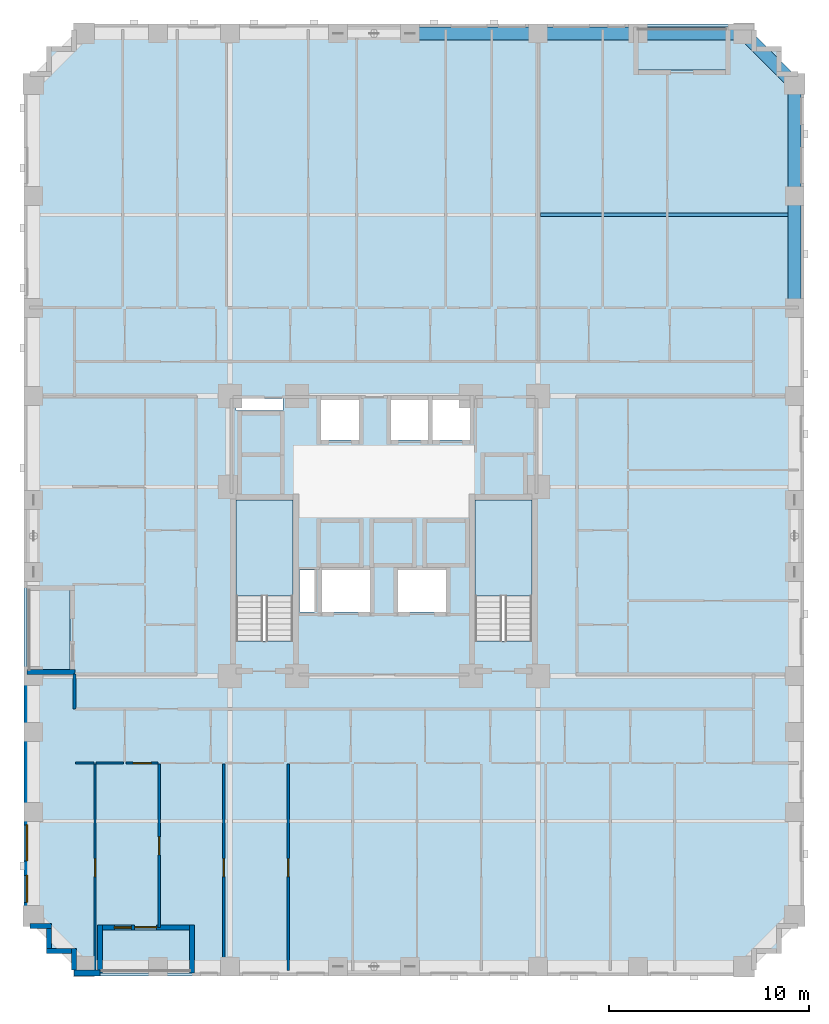
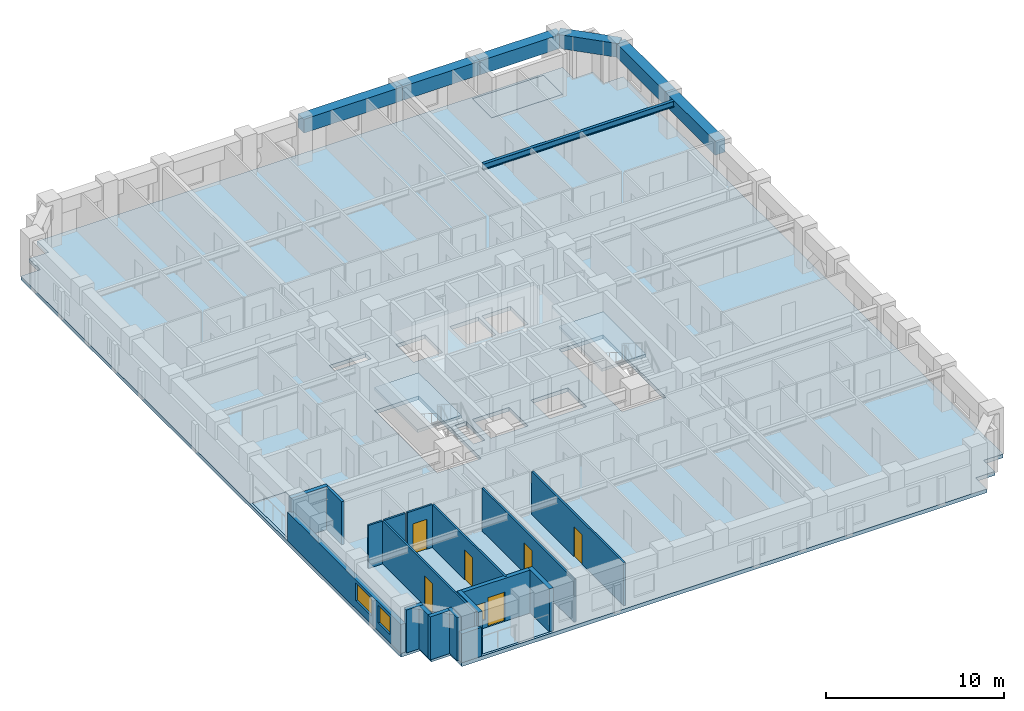
# One storey, part 2 of 14: 18 walls, 7 beams, 6 doors, 6 slabs, 3 windows, 9 openings, 2 elements without a shape of their own.
"""IFC4 building model written with IfcOpenShell, lengths in metres."""

import ifcopenshell
import ifcopenshell.guid

model = None  # the IFC model being written
_history = None  # IfcOwnerHistory: only IFC2X3 demands one
_inside = {}  # id of a spatial element -> (the spatial element, [elements in it])
_under = {}  # id of a project, library or spatial element -> (it, [spatial elements below it])
_declared = {}  # id of a project -> (the project, [libraries it declares])
_typed = {}  # id of a type object -> (the type object, [elements of that type])
_made_of = {}  # id of a material, layer set ... -> (it, [elements and type objects made of it])


def new_model(schema):
    """Start an empty IFC model of exactly this schema.

    Asked for "IFC4X3", IfcOpenShell would pick the latest addendum, in which some entities
    have other attributes; the version numbers below select the first issue.
    IFC2X3 requires an IfcOwnerHistory on every rooted entity: one is made here for all.
    """
    global model, _history
    if schema == "IFC4X3":
        model = ifcopenshell.file(schema_version=(4, 3, 0, 0))
    else:
        model = ifcopenshell.file(schema=schema)
    _inside.clear()
    _under.clear()
    _declared.clear()
    _typed.clear()
    _made_of.clear()
    _history = None
    if model.schema == "IFC2X3":
        org = make("IfcOrganization", Name="unknown")
        user = make(
            "IfcPersonAndOrganization",
            ThePerson=make("IfcPerson", FamilyName="unknown"),
            TheOrganization=org,
        )
        app = make(
            "IfcApplication",
            ApplicationDeveloper=org,
            Version="unknown",
            ApplicationFullName="unknown",
            ApplicationIdentifier="unknown",
        )
        _history = make(
            "IfcOwnerHistory",
            OwningUser=user,
            OwningApplication=app,
            ChangeAction="ADDED",
            CreationDate=0,
        )
    return model


def make(cls, **values):
    """One entity of the class cls with the attributes given. An attribute that is None is left unset."""
    return model.create_entity(
        cls, **{name: value for name, value in values.items() if value is not None}
    )


def rooted(cls, **values):
    """An entity with a GlobalId (a new one), such as an element, a storey or a relation."""
    return make(cls, GlobalId=ifcopenshell.guid.new(), OwnerHistory=_history, **values)


def si_unit(unit_type, name, prefix=None):
    """IfcSIUnit, for example si_unit("LENGTHUNIT", "METRE", prefix="MILLI")."""
    return make("IfcSIUnit", UnitType=unit_type, Prefix=prefix, Name=name)


def derived_unit(unit_type, elements):
    """IfcDerivedUnit: a product of units, each with its exponent."""
    return make(
        "IfcDerivedUnit",
        Elements=[
            make("IfcDerivedUnitElement", Unit=unit, Exponent=power)
            for unit, power in elements
        ],
        UnitType=unit_type,
    )


def assignment(units):
    """IfcUnitAssignment: the units of a project."""
    return None if units is None else make("IfcUnitAssignment", Units=units)


def point(xyz):
    """IfcCartesianPoint."""
    return None if xyz is None else make("IfcCartesianPoint", Coordinates=xyz)


def direction(xyz):
    """IfcDirection."""
    return None if xyz is None else make("IfcDirection", DirectionRatios=xyz)


def frame(location, z_axis=None, x_axis=None):
    """IfcAxis2Placement3D, a coordinate frame: its origin and axes. An axis left out is left unset."""
    return make(
        "IfcAxis2Placement3D",
        Location=point(location),
        Axis=direction(z_axis),
        RefDirection=direction(x_axis),
    )


def frame_2d(location, x_axis=None):
    """IfcAxis2Placement2D, a coordinate frame in the plane: its origin and x axis."""
    return make(
        "IfcAxis2Placement2D", Location=point(location), RefDirection=direction(x_axis)
    )


def origin():
    """The frame at (0, 0, 0) with its axes left unset."""
    return frame((0.0, 0.0, 0.0))


def origin_2d():
    """The frame at (0, 0) in the plane with its x axis left unset."""
    return frame_2d((0.0, 0.0))


def place(relative_to, where):
    """IfcLocalPlacement: puts the frame where relative to a parent placement (None: the world)."""
    return make(
        "IfcLocalPlacement", PlacementRelTo=relative_to, RelativePlacement=where
    )


def context(
    kind, dimensions, precision=None, world=None, true_north=None, identifier=None
):
    """IfcGeometricRepresentationContext, for example the 3D "Model" context."""
    return make(
        "IfcGeometricRepresentationContext",
        ContextIdentifier=identifier,
        ContextType=kind,
        CoordinateSpaceDimension=dimensions,
        Precision=precision,
        WorldCoordinateSystem=world,
        TrueNorth=true_north,
    )


def subcontext(parent, identifier, kind, view, scale=None):
    """IfcGeometricRepresentationSubContext, for example "Body" below "Model"."""
    return make(
        "IfcGeometricRepresentationSubContext",
        ContextIdentifier=identifier,
        ContextType=kind,
        ParentContext=parent,
        TargetScale=scale,
        TargetView=view,
    )


def project(units=None, contexts=None):
    """IfcProject with its units and contexts."""
    return rooted(
        "IfcProject",
        Name="project",
        RepresentationContexts=contexts,
        UnitsInContext=assignment(units),
    )


def spatial(cls, under=None, at=None, **own):
    """A site, building, storey or space (cls), placed at a placement, below another one or the project."""
    s = rooted(cls, ObjectPlacement=at, **own)
    if under is not None:
        _under.setdefault(under.id(), (under, []))[1].append(s)
    return s


def polyline(points):
    """IfcPolyline through the points."""
    return make("IfcPolyline", Points=[point(p) for p in points])


def profile(cls, at=None, kind="AREA", **sizes):
    """A parametric profile (cls). Its sizes go by their IFC names, for example OverallWidth=200.0."""
    return make(cls, ProfileType=kind, Position=at, **sizes)


def rectangle(**sizes):
    """IfcRectangleProfileDef."""
    return profile("IfcRectangleProfileDef", **sizes)


def i_section(**sizes):
    """IfcIShapeProfileDef."""
    return profile("IfcIShapeProfileDef", **sizes)


def outline(outer, holes=None, kind="AREA"):
    """IfcArbitraryClosedProfileDef: a profile drawn as a closed curve; with holes, ...WithVoids."""
    if holes is None:
        return make("IfcArbitraryClosedProfileDef", ProfileType=kind, OuterCurve=outer)
    return make(
        "IfcArbitraryProfileDefWithVoids",
        ProfileType=kind,
        OuterCurve=outer,
        InnerCurves=holes,
    )


def extrude(swept, where, along, depth):
    """IfcExtrudedAreaSolid: the profile swept, set in the frame where, extruded along a direction by depth."""
    return make(
        "IfcExtrudedAreaSolid",
        SweptArea=swept,
        Position=where,
        ExtrudedDirection=direction(along),
        Depth=depth,
    )


def shape(context_of_items, identifier, shape_type, items):
    """IfcShapeRepresentation: the items that make up one representation, for example the "Body"."""
    return make(
        "IfcShapeRepresentation",
        ContextOfItems=context_of_items,
        RepresentationIdentifier=identifier,
        RepresentationType=shape_type,
        Items=items,
    )


def material(Name=None, Category=None):
    """IfcMaterial."""
    return make("IfcMaterial", Name=Name, Category=Category)


def layer(
    of_material, thickness, ventilated=None, Name=None, Category=None, Priority=None
):
    """IfcMaterialLayer: one layer of a wall or slab, of a material (None: an air gap)."""
    return make(
        "IfcMaterialLayer",
        Material=of_material,
        LayerThickness=thickness,
        IsVentilated=ventilated,
        Name=Name,
        Category=Category,
        Priority=Priority,
    )


def layer_set(layers, Name=None):
    """IfcMaterialLayerSet."""
    return make("IfcMaterialLayerSet", MaterialLayers=layers, LayerSetName=Name)


def material_profile(
    of_material, cross_section, Name=None, Category=None, Priority=None
):
    """IfcMaterialProfile: a cross section and its material."""
    return make(
        "IfcMaterialProfile",
        Name=Name,
        Material=of_material,
        Profile=cross_section,
        Priority=Priority,
        Category=Category,
    )


def profile_set(profiles, Name=None, composite=None):
    """IfcMaterialProfileSet."""
    return make(
        "IfcMaterialProfileSet",
        Name=Name,
        MaterialProfiles=profiles,
        CompositeProfile=composite,
    )


def made_of(thing, what):
    """Note that an element or type object is made of a material, layer set ...; save() writes the relation."""
    if what is not None:
        _made_of.setdefault(what.id(), (what, []))[1].append(thing)
    return thing


def type_object(cls, material=None, **own):
    """A type object (cls), such as IfcWallType, which elements share."""
    return made_of(rooted(cls, **own), material)


def element(
    cls,
    number,
    at=None,
    inside=None,
    cuts=None,
    type_object=None,
    material=None,
    context=None,
    identifier="Body",
    shape_type=None,
    held_by="IfcProductDefinitionShape",
    body=None,
    shapes=None,
    **own,
):
    """One element of the class cls, such as IfcWall. Its Tag is "e" and its number.

    at: its placement. inside: the storey or other place that contains it. cuts: it is an
    opening in that element (IfcRelVoidsElement). A single representation is given by context,
    identifier, shape_type and body (its items); several are given by shapes. held_by: the class
    of the entity that holds the representations. save() writes the other relations.
    """
    e = rooted(cls, Tag="e%d" % number, ObjectPlacement=at, **own)
    if body is not None:
        shapes = [shape(context, identifier, shape_type, body)]
    if shapes is not None:
        e.Representation = make(held_by, Representations=shapes)
    if inside is not None:
        _inside.setdefault(inside.id(), (inside, []))[1].append(e)
    if cuts is not None:
        rooted(
            "IfcRelVoidsElement", RelatingBuildingElement=cuts, RelatedOpeningElement=e
        )
    if type_object is not None:
        _typed.setdefault(type_object.id(), (type_object, []))[1].append(e)
    return made_of(e, material)


def fill(opening, filler):
    """IfcRelFillsElement: the door or window that sits in an opening."""
    return rooted(
        "IfcRelFillsElement",
        RelatingOpeningElement=opening,
        RelatedBuildingElement=filler,
    )


def aggregate(whole, parts):
    """IfcRelAggregates: a whole, such as a stair, and the parts it consists of."""
    return rooted("IfcRelAggregates", RelatingObject=whole, RelatedObjects=parts)


def save(model, path):
    """Write the relations noted so far, then the file.

    IfcRelAggregates (storeys below a building ...), IfcRelContainedInSpatialStructure (elements
    in a storey), IfcRelDefinesByType, IfcRelAssociatesMaterial and IfcRelDeclares: one each for
    every whole, place, type object, material and project.
    """
    for whole, parts in _under.values():
        aggregate(whole, parts)
    for where, things in _inside.values():
        rooted(
            "IfcRelContainedInSpatialStructure",
            RelatedElements=things,
            RelatingStructure=where,
        )
    for kind, things in _typed.values():
        rooted("IfcRelDefinesByType", RelatedObjects=things, RelatingType=kind)
    for what, things in _made_of.values():
        rooted("IfcRelAssociatesMaterial", RelatedObjects=things, RelatingMaterial=what)
    for by, libraries in _declared.values():
        rooted("IfcRelDeclares", RelatingContext=by, RelatedDefinitions=libraries)
    model.write(path)


model = new_model("IFC4")

# Units and contexts
model_context = context("Model", 3, precision=1e-05, world=origin(), true_north=direction((0.0, 1.0)))
body_context = subcontext(model_context, "Body", "Model", "MODEL_VIEW")
ifc_project = project(units=[si_unit("LENGTHUNIT", "METRE"), si_unit("AREAUNIT", "SQUARE_METRE"), si_unit("VOLUMEUNIT", "CUBIC_METRE"), si_unit("PLANEANGLEUNIT", "RADIAN"), si_unit("MASSUNIT", "GRAM", prefix="KILO"), derived_unit("THERMALTRANSMITTANCEUNIT", [(si_unit("MASSUNIT", "GRAM", prefix="KILO"), 1), (si_unit("TIMEUNIT", "SECOND"), -3), (si_unit("THERMODYNAMICTEMPERATUREUNIT", "KELVIN"), -1)])], contexts=[model_context])

# Site, building, storey
site_placement = place(None, origin())
site = spatial("IfcSite", under=ifc_project, at=site_placement, CompositionType="ELEMENT")
building_placement = place(site_placement, origin())
building = spatial("IfcBuilding", under=site, at=building_placement, Name="Korrvale Station Residences", CompositionType="ELEMENT")
storey_placement = place(building_placement, frame((0.0, 0.0, 29.0)))
storey = spatial("IfcBuildingStorey", under=building, at=storey_placement, Name="L06", CompositionType="ELEMENT", Elevation=29.0)

# Beams
ifc_material_1 = material(Name="Steel S355", Category="steel")
ifc_material_profile_1 = material_profile(ifc_material_1, i_section(OverallWidth=0.180908203125, OverallDepth=0.4169921875, WebThickness=0.010986328125, FlangeThickness=0.018310546875, FilletRadius=0.01611328125, at=origin_2d()), Name="W410x85")
ifc_profile_set_1 = profile_set([ifc_material_profile_1], Name="Steel S355")
beam_type_1 = type_object("IfcBeamType", Name="BM-JST-W410x85-S355", PredefinedType="JOIST", material=ifc_profile_set_1)
beam_1_placement = place(storey_placement, frame((33.333984375, 38.06005859375, 2.7314453125), z_axis=(1.0, 0.0, 0.0), x_axis=(0.0, 1.0, 0.0)))
element("IfcBeam", 1, at=beam_1_placement, inside=storey, type_object=beam_type_1, Name="L06 Floor Framing Joist 06", PredefinedType="JOIST", context=body_context, shape_type="SweptSolid", body=[
    extrude(i_section(OverallWidth=0.180908203125, OverallDepth=0.4169921875, WebThickness=0.010986328125, FlangeThickness=0.018310546875, FilletRadius=0.01611328125, at=origin_2d()), origin(), (0.0, 0.0, 1.0), 12.361083984375),
])
ifc_material_2 = material(Name="Concrete C70/85", Category="concrete")
ifc_material_profile_2 = material_profile(ifc_material_2, rectangle(XDim=0.64990234375, YDim=0.949951171875, at=origin_2d()), Name="RCB650x950")
ifc_profile_set_2 = profile_set([ifc_material_profile_2], Name="Concrete C70/85")
beam_type_2 = type_object("IfcBeamType", Name="BM-SPB-RCB650x950-C7085", PredefinedType="SPANDREL", material=ifc_profile_set_2)
beam_2_placement = place(storey_placement, frame((26.800048828125, 47.1201171875, 2.465087890625), z_axis=(1.0, 0.0, 0.0), x_axis=(0.0, 1.0, 0.0)))
element("IfcBeam", 2, at=beam_2_placement, inside=storey, type_object=beam_type_2, Name="L06 North Tube Spandrel 12", PredefinedType="SPANDREL", context=body_context, shape_type="SweptSolid", body=[
    extrude(rectangle(XDim=0.64990234375, YDim=0.949951171875, at=origin_2d()), origin(), (0.0, 0.0, 1.0), 6.39990234375),
])
beam_3_placement = place(storey_placement, frame((33.199951171875, 47.1201171875, 2.465087890625), z_axis=(1.0, 0.0, 0.0), x_axis=(0.0, 1.0, 0.0)))
element("IfcBeam", 3, at=beam_3_placement, inside=storey, type_object=beam_type_2, Name="L06 North Tube Spandrel 13", PredefinedType="SPANDREL", context=body_context, shape_type="SweptSolid", body=[
    extrude(rectangle(XDim=0.64990234375, YDim=0.949951171875, at=origin_2d()), origin(), (0.0, 0.0, 1.0), 5.0),
])
beam_4_placement = place(storey_placement, frame((38.199951171875, 47.1201171875, 2.465087890625), z_axis=(1.0, 0.0, 0.0), x_axis=(0.0, 1.0, 0.0)))
element("IfcBeam", 4, at=beam_4_placement, inside=storey, type_object=beam_type_2, Name="L06 North Tube Spandrel 14", PredefinedType="SPANDREL", context=body_context, shape_type="SweptSolid", body=[
    extrude(rectangle(XDim=0.64990234375, YDim=0.949951171875, at=origin_2d()), origin(), (0.0, 0.0, 1.0), 5.300048828125),
])
for number, where, z_axis, x_axis, name in (
    (5, (46.02001953125, 33.39990234375, 2.465087890625), (0.0, 1.0, 0.0), (-1.0, 0.0, 0.0), "L06 East Tube Spandrel 31"),
    (6, (46.02001953125, 39.0, 2.465087890625), (0.0, 1.0, 0.0), (-1.0, 0.0, 0.0), "L06 East Tube Spandrel 32"),
):
    element("IfcBeam", number, at=place(storey_placement, frame(where, z_axis=z_axis, x_axis=x_axis)), inside=storey, type_object=beam_type_2, Name=name, PredefinedType="SPANDREL", context=body_context, shape_type="SweptSolid", body=[
        extrude(rectangle(XDim=0.64990234375, YDim=0.949951171875, at=origin_2d()), origin(), (0.0, 0.0, 1.0), 5.60009765625),
    ])
beam_5_placement = place(storey_placement, frame((43.5, 47.1201171875, 2.465087890625), z_axis=(0.707106781187, -0.707106781187, 0.0), x_axis=(0.707106781187, 0.707106781187, 0.0)))
element("IfcBeam", 7, at=beam_5_placement, inside=storey, type_object=beam_type_2, Name="L06 Serrated Corner Spandrel 35", PredefinedType="SPANDREL", context=body_context, shape_type="SweptSolid", body=[
    extrude(rectangle(XDim=0.64990234375, YDim=0.949951171875, at=origin_2d()), origin(), (0.0, 0.0, 1.0), 3.56396484375),
])

# Slabs
ifc_material_3 = material(Name="Concrete C50/60", Category="concrete")
ifc_layer_1 = layer(ifc_material_3, 0.219970703125, Name="Concrete C50/60")
ifc_layer_set_1 = layer_set([ifc_layer_1], Name="Concrete C50/60")
slab_type_1 = type_object("IfcSlabType", Name="SLB-BAL-220", PredefinedType="FLOOR", material=ifc_layer_set_1)
slab_1_placement = place(storey_placement, frame((0.0, 0.0, -0.219970703125)))
element("IfcSlab", 8, at=slab_1_placement, inside=storey, type_object=slab_type_1, Name="L06 Recessed Loggia Balcony Slab BAL-L06-S1", PredefinedType="FLOOR", context=body_context, shape_type="SweptSolid", body=[
    extrude(outline(polyline([(11.300048828125, 0.14990234375), (15.89990234375, 0.14990234375), (15.89990234375, 2.300048828125), (11.300048828125, 2.300048828125), (11.300048828125, 0.14990234375)])), origin(), (0.0, 0.0, 1.0), 0.219970703125),
])
slab_2_placement = place(storey_placement, frame((0.0, 0.0, -0.219970703125)))
element("IfcSlab", 9, at=slab_2_placement, inside=storey, type_object=slab_type_1, Name="L06 Recessed Loggia Balcony Slab BAL-L06-N1", PredefinedType="FLOOR", context=body_context, shape_type="SweptSolid", body=[
    extrude(outline(polyline([(38.10009765625, 45.300048828125), (42.699951171875, 45.300048828125), (42.699951171875, 47.449951171875), (38.10009765625, 47.449951171875), (38.10009765625, 45.300048828125)])), origin(), (0.0, 0.0, 1.0), 0.219970703125),
])
slab_3_placement = place(storey_placement, frame((0.0, 0.0, -0.219970703125)))
element("IfcSlab", 10, at=slab_3_placement, inside=storey, type_object=slab_type_1, Name="L06 Recessed Loggia Balcony Slab BAL-L06-W1", PredefinedType="FLOOR", context=body_context, shape_type="SweptSolid", body=[
    extrude(outline(polyline([(7.64990234375, 15.199951171875), (9.800048828125, 15.199951171875), (9.800048828125, 19.39990234375), (7.64990234375, 19.39990234375), (7.64990234375, 15.199951171875)])), origin(), (0.0, 0.0, 1.0), 0.219970703125),
])
ifc_layer_2 = layer(ifc_material_3, 0.260009765625, Name="Concrete C50/60")
ifc_layer_set_2 = layer_set([ifc_layer_2], Name="Concrete C50/60")
slab_type_2 = type_object("IfcSlabType", Name="SLB-FLR-260", PredefinedType="FLOOR", material=ifc_layer_set_2)
slab_4_placement = place(storey_placement, frame((0.0, 0.0, -0.260009765625)))
element("IfcSlab", 11, at=slab_4_placement, inside=storey, type_object=slab_type_2, Name="L06 Suspended Structural Floor Slab", PredefinedType="FLOOR", context=body_context, shape_type="SweptSolid", body=[
    extrude(outline(polyline([(10.0, 0.0), (44.0, 0.0), (44.0, 1.25), (45.25, 1.25), (45.25, 2.5), (46.5, 2.5), (46.5, 45.10009765625), (45.25, 45.10009765625), (45.25, 46.35009765625), (44.0, 46.35009765625), (44.0, 47.60009765625), (10.0, 47.60009765625), (10.0, 46.35009765625), (8.75, 46.35009765625), (8.75, 45.10009765625), (7.5, 45.10009765625), (7.5, 2.5), (8.75, 2.5), (8.75, 1.25), (10.0, 1.25), (10.0, 0.0)]), holes=[polyline([(20.949951171875, 16.751953125), (20.949951171875, 23.800048828125), (18.10009765625, 23.800048828125), (18.10009765625, 16.751953125), (20.949951171875, 16.751953125)]), polyline([(32.89990234375, 16.751953125), (32.89990234375, 23.800048828125), (30.050048828125, 23.800048828125), (30.050048828125, 16.751953125), (32.89990234375, 16.751953125)]), polyline([(22.35009765625, 26.800048828125), (24.25, 26.800048828125), (24.25, 28.800048828125), (22.35009765625, 28.800048828125), (22.35009765625, 26.800048828125)]), polyline([(25.85009765625, 26.800048828125), (27.7099609375, 26.800048828125), (27.7099609375, 28.800048828125), (25.85009765625, 28.800048828125), (25.85009765625, 26.800048828125)]), polyline([(27.929931640625, 26.800048828125), (29.7900390625, 26.800048828125), (29.7900390625, 28.800048828125), (27.929931640625, 28.800048828125), (27.929931640625, 26.800048828125)]), polyline([(22.39990234375, 18.199951171875), (24.800048828125, 18.199951171875), (24.800048828125, 20.300048828125), (22.39990234375, 20.300048828125), (22.39990234375, 18.199951171875)]), polyline([(26.199951171875, 18.199951171875), (28.60009765625, 18.199951171875), (28.60009765625, 20.300048828125), (26.199951171875, 20.300048828125), (26.199951171875, 18.199951171875)]), polyline([(18.10009765625, 28.280029296875), (20.449951171875, 28.280029296875), (20.449951171875, 28.8798828125), (18.10009765625, 28.8798828125), (18.10009765625, 28.280029296875)]), polyline([(21.280029296875, 18.199951171875), (22.02001953125, 18.199951171875), (22.02001953125, 20.300048828125), (21.280029296875, 20.300048828125), (21.280029296875, 18.199951171875)]), polyline([(11.300048828125, 0.14990234375), (15.89990234375, 0.14990234375), (15.89990234375, 2.300048828125), (11.300048828125, 2.300048828125), (11.300048828125, 0.14990234375)]), polyline([(38.10009765625, 45.300048828125), (42.699951171875, 45.300048828125), (42.699951171875, 47.449951171875), (38.10009765625, 47.449951171875), (38.10009765625, 45.300048828125)]), polyline([(7.64990234375, 15.199951171875), (9.800048828125, 15.199951171875), (9.800048828125, 19.39990234375), (7.64990234375, 19.39990234375), (7.64990234375, 15.199951171875)])]), origin(), (0.0, 0.0, 1.0), 0.260009765625),
])

# Stair, slab
stair_type = type_object("IfcStairType", Name="STR-DL-1350-18R-1778", PredefinedType="HALF_TURN_STAIR", material=ifc_material_3)
stair_1_placement = place(storey_placement, origin())
stair_1 = element("IfcStair", 12, at=stair_1_placement, inside=storey, type_object=stair_type, Name="L06 Exit Stair 1", PredefinedType="HALF_TURN_STAIR")
ifc_layer_3 = layer(ifc_material_3, 0.199951171875, Name="Concrete C50/60")
ifc_layer_set_3 = layer_set([ifc_layer_3], Name="Concrete C50/60")
slab_type_3 = type_object("IfcSlabType", Name="SLB-LND-200", PredefinedType="LANDING", material=ifc_layer_set_3)
slab_5_placement = place(storey_placement, frame((0.0, 0.0, 1.39990234375)))
slab_5 = element("IfcSlab", 13, at=slab_5_placement, type_object=slab_type_3, Name="ST-1 landing 1", PredefinedType="LANDING", context=body_context, shape_type="SweptSolid", body=[
    extrude(outline(polyline([(20.949951171875, 18.989990234375), (20.949951171875, 23.800048828125), (18.10009765625, 23.800048828125), (18.10009765625, 18.989990234375), (20.949951171875, 18.989990234375)])), origin(), (0.0, 0.0, 1.0), 0.2001953125),
])
aggregate(stair_1, [slab_5])

stair_2_placement = place(storey_placement, origin())
stair_2 = element("IfcStair", 14, at=stair_2_placement, inside=storey, type_object=stair_type, Name="L06 Exit Stair 2", PredefinedType="HALF_TURN_STAIR")
slab_6_placement = place(storey_placement, frame((0.0, 0.0, 1.39990234375)))
slab_6 = element("IfcSlab", 15, at=slab_6_placement, type_object=slab_type_3, Name="ST-2 landing 1", PredefinedType="LANDING", context=body_context, shape_type="SweptSolid", body=[
    extrude(outline(polyline([(32.89990234375, 18.989990234375), (32.89990234375, 23.800048828125), (30.050048828125, 23.800048828125), (30.050048828125, 18.989990234375), (32.89990234375, 18.989990234375)])), origin(), (0.0, 0.0, 1.0), 0.2001953125),
])
aggregate(stair_2, [slab_6])

# Wall
ifc_material_4 = material(Name="Precast concrete C45/55", Category="concrete")
ifc_layer_4 = layer(ifc_material_4, 0.260009765625, Name="Precast concrete C45/55")
ifc_layer_set_4 = layer_set([ifc_layer_4], Name="Precast concrete C45/55")
wall_type_1 = type_object("IfcWallType", Name="WAL-EXT-LOG260", PredefinedType="SOLIDWALL", material=ifc_layer_set_4)
wall_1_placement = place(storey_placement, frame((15.89990234375, 0.159912109375, 0.0), z_axis=(0.0, 0.0, 1.0), x_axis=(0.0, 1.0, 0.0)))
element("IfcWall", 16, at=wall_1_placement, inside=storey, type_object=wall_type_1, Name="L06 Recessed Loggia Wall BAL-L06-S1-L", PredefinedType="SOLIDWALL", context=body_context, shape_type="SweptSolid", body=[
    extrude(rectangle(XDim=2.400146484375, YDim=0.260009765625, at=frame_2d((1.2001953125, 0.0))), origin(), (0.0, 0.0, 1.0), 2.93994140625),
])

# Wall, openings, door, window
wall_2_placement = place(storey_placement, frame((15.76611328125, 2.429931640625, 0.0), z_axis=(0.0, 0.0, 1.0), x_axis=(-1.0, 0.0, 0.0)))
wall_2 = element("IfcWall", 17, at=wall_2_placement, inside=storey, type_object=wall_type_1, Name="L06 Recessed Loggia Wall BAL-L06-S1-B", PredefinedType="SOLIDWALL", context=body_context, shape_type="SweptSolid", body=[
    extrude(rectangle(XDim=4.33203125, YDim=0.260009765625, at=frame_2d((2.166015625, 0.0))), origin(), (0.0, 0.0, 1.0), 2.93994140625),
])
opening_1_placement = place(wall_2_placement, frame((1.635986328125, 0.0, 0.0)))
opening_1 = element("IfcOpeningElement", 18, at=opening_1_placement, cuts=wall_2, Name="Opening BD-01", PredefinedType="OPENING", context=body_context, shape_type="SweptSolid", body=[
    extrude(rectangle(XDim=1.10009765625, YDim=2.0, at=frame_2d((0.550048828125, 1.0))), frame((0.0, 0.14013671875, 0.0), z_axis=(0.0, -1.0, 0.0), x_axis=(1.0, 0.0, 0.0)), (0.0, 0.0, 1.0), 0.280029296875),
])
opening_2_placement = place(wall_2_placement, frame((2.89599609375, 0.0, 0.550048828125)))
opening_2 = element("IfcOpeningElement", 19, at=opening_2_placement, cuts=wall_2, Name="Opening W-11", PredefinedType="OPENING", context=body_context, shape_type="SweptSolid", body=[
    extrude(rectangle(XDim=0.85009765625, YDim=1.199951171875, at=frame_2d((0.425048828125, 0.60009765625))), frame((0.0, 0.14013671875, 0.0), z_axis=(0.0, -1.0, 0.0), x_axis=(1.0, 0.0, 0.0)), (0.0, 0.0, 1.0), 0.280029296875),
])
ifc_material_5 = material(Name="Exterior thermally broken aluminium glazed balcony door", Category="aluminium")
door_type_1 = type_object("IfcDoorType", Name="DR-EXT-BAL", OperationType="NOTDEFINED", PredefinedType="DOOR", material=ifc_material_5)
door_1_placement = place(opening_1_placement, origin())
door_1 = element("IfcDoor", 20, at=door_1_placement, inside=storey, type_object=door_type_1, Name="L06 Loggia Balcony Door BAL-L06-S1", OperationType="SINGLE_SWING_LEFT", OverallHeight=2.0, OverallWidth=1.10009765625, PredefinedType="DOOR", context=body_context, shape_type="SweptSolid", body=[
    extrude(rectangle(XDim=1.10009765625, YDim=2.0, at=frame_2d((0.550048828125, 1.0))), frame((0.0, 0.02490234375, 0.0), z_axis=(0.0, -1.0, 0.0), x_axis=(1.0, 0.0, 0.0)), (0.0, 0.0, 1.0), 0.050048828125),
])
fill(opening_1, door_1)
ifc_material_6 = material(Name="Thermally broken aluminium frame with triple low-e glazing", Category="aluminium")
window_type_1 = type_object("IfcWindowType", Name="WIN-W11", PartitioningType="SINGLE_PANEL", PredefinedType="WINDOW", material=ifc_material_6)
window_1_placement = place(opening_2_placement, origin())
window_1 = element("IfcWindow", 21, at=window_1_placement, inside=storey, type_object=window_type_1, Name="L06 Punched Window 03", OverallHeight=1.199951171875, OverallWidth=0.85009765625, PartitioningType="SINGLE_PANEL", PredefinedType="WINDOW", context=body_context, shape_type="SweptSolid", body=[
    extrude(rectangle(XDim=0.85009765625, YDim=1.199951171875, at=frame_2d((0.425048828125, 0.60009765625))), frame((0.0, 0.030029296875, 0.0), z_axis=(0.0, -1.0, 0.0), x_axis=(1.0, 0.0, 0.0)), (0.0, 0.0, 1.0), 0.06005859375),
])
fill(opening_2, window_1)

# Walls
for number, where, z_axis, x_axis, name in (
    (22, (11.300048828125, 2.56005859375, 0.0), (0.0, 0.0, 1.0), (0.0, -1.0, 0.0), "L06 Recessed Loggia Wall BAL-L06-S1-R"),
    (23, (7.659912109375, 15.199951171875, 0.0), (0.0, 0.0, 1.0), (1.0, 0.0, 0.0), "L06 Recessed Loggia Wall BAL-L06-W1-L"),
):
    element("IfcWall", number, at=place(storey_placement, frame(where, z_axis=z_axis, x_axis=x_axis)), inside=storey, type_object=wall_type_1, Name=name, PredefinedType="SOLIDWALL", context=body_context, shape_type="SweptSolid", body=[
        extrude(rectangle(XDim=2.400146484375, YDim=0.260009765625, at=frame_2d((1.2001953125, 0.0))), origin(), (0.0, 0.0, 1.0), 2.93994140625),
    ])
wall_3_placement = place(storey_placement, frame((10.0, 0.302001953125, 0.0), z_axis=(0.0, 0.0, 1.0), x_axis=(0.0, 1.0, 0.0)))
element("IfcWall", 24, at=wall_3_placement, inside=storey, type_object=wall_type_1, Name="L06 Serrated Corner Precast Step SW-1", PredefinedType="SOLIDWALL", context=body_context, shape_type="SweptSolid", body=[
    extrude(rectangle(XDim=1.077880859375, YDim=0.260009765625, at=frame_2d((0.5390625, 0.0))), origin(), (0.0, 0.0, 1.0), 2.93994140625),
])
wall_4_placement = place(storey_placement, frame((9.867919921875, 1.25, 0.0), z_axis=(0.0, 0.0, 1.0), x_axis=(-1.0, 0.0, 0.0)))
element("IfcWall", 25, at=wall_4_placement, inside=storey, type_object=wall_type_1, Name="L06 Serrated Corner Precast Step SW-2", PredefinedType="SOLIDWALL", context=body_context, shape_type="SweptSolid", body=[
    extrude(rectangle(XDim=1.247802734375, YDim=0.260009765625, at=frame_2d((0.6240234375, 0.0))), origin(), (0.0, 0.0, 1.0), 2.93994140625),
])
wall_5_placement = place(storey_placement, frame((8.75, 1.382080078125, 0.0), z_axis=(0.0, 0.0, 1.0), x_axis=(0.0, 1.0, 0.0)))
element("IfcWall", 26, at=wall_5_placement, inside=storey, type_object=wall_type_1, Name="L06 Serrated Corner Precast Step SW-3", PredefinedType="SOLIDWALL", context=body_context, shape_type="SweptSolid", body=[
    extrude(rectangle(XDim=0.98583984375, YDim=0.260009765625, at=frame_2d((0.492919921875, 0.0))), origin(), (0.0, 0.0, 1.0), 2.93994140625),
])
wall_6_placement = place(storey_placement, frame((8.8798828125, 2.5, 0.0), z_axis=(0.0, 0.0, 1.0), x_axis=(-1.0, 0.0, 0.0)))
element("IfcWall", 27, at=wall_6_placement, inside=storey, type_object=wall_type_1, Name="L06 Serrated Corner Precast Step SW-4", PredefinedType="SOLIDWALL", context=body_context, shape_type="SweptSolid", body=[
    extrude(rectangle(XDim=1.077880859375, YDim=0.260009765625, at=frame_2d((0.5390625, 0.0))), origin(), (0.0, 0.0, 1.0), 2.93994140625),
])
ifc_layer_5 = layer(ifc_material_4, 0.300048828125, Name="Precast concrete C45/55")
ifc_layer_set_5 = layer_set([ifc_layer_5], Name="Precast concrete C45/55")
wall_type_2 = type_object("IfcWallType", Name="WAL-EXT-PC300", PredefinedType="SOLIDWALL", material=ifc_layer_set_5)
wall_7_placement = place(storey_placement, frame((11.300048828125, 0.14990234375, 0.0), z_axis=(0.0, 0.0, 1.0), x_axis=(-1.0, 0.0, 0.0)))
element("IfcWall", 28, at=wall_7_placement, inside=storey, type_object=wall_type_2, Name="L06 South Exterior Precast Wall 2", PredefinedType="SOLIDWALL", context=body_context, shape_type="SweptSolid", body=[
    extrude(rectangle(XDim=1.300048828125, YDim=0.300048828125, at=frame_2d((0.64990234375, 0.0))), origin(), (0.0, 0.0, 1.0), 1.97509765625),
])

# Wall, openings, windows
wall_8_placement = place(storey_placement, frame((7.64990234375, 2.5, 0.0), z_axis=(0.0, 0.0, 1.0), x_axis=(0.0, 1.0, 0.0)))
wall_8 = element("IfcWall", 29, at=wall_8_placement, inside=storey, type_object=wall_type_2, Name="L06 West Exterior Precast Wall 1", PredefinedType="SOLIDWALL", context=body_context, shape_type="SweptSolid", body=[
    extrude(rectangle(XDim=12.699951171875, YDim=0.300048828125, at=frame_2d((6.35009765625, 0.0))), origin(), (0.0, 0.0, 1.0), 1.97509765625),
])
opening_3_placement = place(wall_8_placement, frame((3.257080078125, 0.0, 0.550048828125)))
opening_3 = element("IfcOpeningElement", 30, at=opening_3_placement, cuts=wall_8, Name="Opening W-09", PredefinedType="OPENING", context=body_context, shape_type="SweptSolid", body=[
    extrude(rectangle(XDim=1.800048828125, YDim=1.199951171875, at=frame_2d((0.89990234375, 0.60009765625))), frame((0.0, 0.16015625, 0.0), z_axis=(0.0, -1.0, 0.0), x_axis=(1.0, 0.0, 0.0)), (0.0, 0.0, 1.0), 0.320068359375),
])
opening_4_placement = place(wall_8_placement, frame((1.18505859375, 0.0, 0.550048828125)))
opening_4 = element("IfcOpeningElement", 31, at=opening_4_placement, cuts=wall_8, Name="Opening W-10", PredefinedType="OPENING", context=body_context, shape_type="SweptSolid", body=[
    extrude(rectangle(XDim=1.35009765625, YDim=1.199951171875, at=frame_2d((0.675048828125, 0.60009765625))), frame((0.0, 0.16015625, 0.0), z_axis=(0.0, -1.0, 0.0), x_axis=(1.0, 0.0, 0.0)), (0.0, 0.0, 1.0), 0.320068359375),
])
window_type_2 = type_object("IfcWindowType", Name="WIN-W09", PartitioningType="DOUBLE_PANEL_VERTICAL", PredefinedType="WINDOW", material=ifc_material_6)
window_2_placement = place(opening_3_placement, origin())
window_2 = element("IfcWindow", 32, at=window_2_placement, inside=storey, type_object=window_type_2, Name="L06 Punched Window 01", OverallHeight=1.199951171875, OverallWidth=1.800048828125, PartitioningType="DOUBLE_PANEL_VERTICAL", PredefinedType="WINDOW", context=body_context, shape_type="SweptSolid", body=[
    extrude(rectangle(XDim=1.800048828125, YDim=1.199951171875, at=frame_2d((0.89990234375, 0.60009765625))), frame((0.0, 0.030029296875, 0.0), z_axis=(0.0, -1.0, 0.0), x_axis=(1.0, 0.0, 0.0)), (0.0, 0.0, 1.0), 0.06005859375),
])
fill(opening_3, window_2)
window_type_3 = type_object("IfcWindowType", Name="WIN-W10", PartitioningType="SINGLE_PANEL", PredefinedType="WINDOW", material=ifc_material_6)
window_3_placement = place(opening_4_placement, origin())
window_3 = element("IfcWindow", 33, at=window_3_placement, inside=storey, type_object=window_type_3, Name="L06 Punched Window 02", OverallHeight=1.199951171875, OverallWidth=1.35009765625, PartitioningType="SINGLE_PANEL", PredefinedType="WINDOW", context=body_context, shape_type="SweptSolid", body=[
    extrude(rectangle(XDim=1.35009765625, YDim=1.199951171875, at=frame_2d((0.675048828125, 0.60009765625))), frame((0.0, 0.030029296875, 0.0), z_axis=(0.0, -1.0, 0.0), x_axis=(1.0, 0.0, 0.0)), (0.0, 0.0, 1.0), 0.06005859375),
])
fill(opening_4, window_3)

# Walls
ifc_material_7 = material(Name="Acoustic steel-stud gypsum board partition", Category="steel")
ifc_layer_6 = layer(ifc_material_7, 0.1201171875, Name="Acoustic steel-stud gypsum board partition")
ifc_layer_set_6 = layer_set([ifc_layer_6], Name="Acoustic steel-stud gypsum board partition")
wall_type_3 = type_object("IfcWallType", Name="WAL-PART-125", PredefinedType="PARTITIONING", material=ifc_layer_set_6)
wall_9_placement = place(storey_placement, frame((10.080078125, 10.64990234375, 0.0), z_axis=(0.0, 0.0, 1.0), x_axis=(1.0, 0.0, 0.0)))
element("IfcWall", 34, at=wall_9_placement, inside=storey, type_object=wall_type_3, Name="L06 Suite Partition U01-H010", PredefinedType="PARTITIONING", context=body_context, shape_type="SweptSolid", body=[
    extrude(rectangle(XDim=0.909912109375, YDim=0.1201171875, at=frame_2d((0.455078125, 0.0))), origin(), (0.0, 0.0, 1.0), 2.93994140625),
])
wall_10_placement = place(storey_placement, frame((11.110107421875, 10.64990234375, 0.0), z_axis=(0.0, 0.0, 1.0), x_axis=(1.0, 0.0, 0.0)))
element("IfcWall", 35, at=wall_10_placement, inside=storey, type_object=wall_type_3, Name="L06 Suite Partition U01-H011", PredefinedType="PARTITIONING", context=body_context, shape_type="SweptSolid", body=[
    extrude(rectangle(XDim=1.369873046875, YDim=0.1201171875, at=frame_2d((0.68505859375, 0.0))), origin(), (0.0, 0.0, 1.0), 2.93994140625),
])

# Wall, opening, door
wall_11_placement = place(storey_placement, frame((12.60009765625, 10.64990234375, 0.0), z_axis=(0.0, 0.0, 1.0), x_axis=(1.0, 0.0, 0.0)))
wall_11 = element("IfcWall", 36, at=wall_11_placement, inside=storey, type_object=wall_type_3, Name="L06 Suite Partition U01-H111", PredefinedType="PARTITIONING", context=body_context, shape_type="SweptSolid", body=[
    extrude(rectangle(XDim=1.60986328125, YDim=0.1201171875, at=frame_2d((0.804931640625, 0.0))), origin(), (0.0, 0.0, 1.0), 2.93994140625),
])
opening_5_placement = place(wall_11_placement, frame((0.35498046875, 0.0, 0.0)))
opening_5 = element("IfcOpeningElement", 37, at=opening_5_placement, cuts=wall_11, Name="Opening DI-900", PredefinedType="OPENING", context=body_context, shape_type="SweptSolid", body=[
    extrude(rectangle(XDim=0.89990234375, YDim=2.050048828125, at=frame_2d((0.449951171875, 1.02490234375))), frame((0.0, 0.070068359375, 0.0), z_axis=(0.0, -1.0, 0.0), x_axis=(1.0, 0.0, 0.0)), (0.0, 0.0, 1.0), 0.14013671875),
])
ifc_material_8 = material(Name="Painted solid-core timber interior room door", Category="wood")
door_type_2 = type_object("IfcDoorType", Name="DR-INT-900", OperationType="NOTDEFINED", PredefinedType="DOOR", material=ifc_material_8)
door_2_placement = place(opening_5_placement, origin())
door_2 = element("IfcDoor", 38, at=door_2_placement, inside=storey, type_object=door_type_2, Name="L06 Studio Apartment L06-U01 Kitchen Door", OperationType="SINGLE_SWING_RIGHT", OverallHeight=2.050048828125, OverallWidth=0.89990234375, PredefinedType="DOOR", context=body_context, shape_type="SweptSolid", body=[
    extrude(rectangle(XDim=0.89990234375, YDim=2.050048828125, at=frame_2d((0.449951171875, 1.02490234375))), frame((0.0, 0.02490234375, 0.0), z_axis=(0.0, -1.0, 0.0), x_axis=(1.0, 0.0, 0.0)), (0.0, 0.0, 1.0), 0.050048828125),
])
fill(opening_5, door_2)

wall_12_placement = place(storey_placement, frame((11.050048828125, 0.280029296875, 0.0), z_axis=(0.0, 0.0, 1.0), x_axis=(0.0, 1.0, 0.0)))
wall_12 = element("IfcWall", 39, at=wall_12_placement, inside=storey, type_object=wall_type_3, Name="L06 Suite Partition U01-V1011", PredefinedType="PARTITIONING", context=body_context, shape_type="SweptSolid", body=[
    extrude(rectangle(XDim=10.31005859375, YDim=0.1201171875, at=frame_2d((5.155029296875, 0.0))), origin(), (0.0, 0.0, 1.0), 2.93994140625),
])
opening_6_placement = place(wall_12_placement, frame((4.68994140625, 0.0, 0.0)))
opening_6 = element("IfcOpeningElement", 40, at=opening_6_placement, cuts=wall_12, Name="Opening DI-900", PredefinedType="OPENING", context=body_context, shape_type="SweptSolid", body=[
    extrude(rectangle(XDim=0.89990234375, YDim=2.050048828125, at=frame_2d((0.449951171875, 1.02490234375))), frame((0.0, 0.070068359375, 0.0), z_axis=(0.0, -1.0, 0.0), x_axis=(1.0, 0.0, 0.0)), (0.0, 0.0, 1.0), 0.14013671875),
])
door_3_placement = place(opening_6_placement, origin())
door_3 = element("IfcDoor", 41, at=door_3_placement, inside=storey, type_object=door_type_2, Name="L06 Studio Apartment L06-U01 Walk-In Wardrobe Door", OperationType="SINGLE_SWING_RIGHT", OverallHeight=2.050048828125, OverallWidth=0.89990234375, PredefinedType="DOOR", context=body_context, shape_type="SweptSolid", body=[
    extrude(rectangle(XDim=0.89990234375, YDim=2.050048828125, at=frame_2d((0.449951171875, 1.02490234375))), frame((0.0, 0.02490234375, 0.0), z_axis=(0.0, -1.0, 0.0), x_axis=(1.0, 0.0, 0.0)), (0.0, 0.0, 1.0), 0.050048828125),
])
fill(opening_6, door_3)

wall_13_placement = place(storey_placement, frame((14.27001953125, 2.429931640625, 0.0), z_axis=(0.0, 0.0, 1.0), x_axis=(0.0, 1.0, 0.0)))
wall_13 = element("IfcWall", 42, at=wall_13_placement, inside=storey, type_object=wall_type_3, Name="L06 Suite Partition U01-V1112", PredefinedType="PARTITIONING", context=body_context, shape_type="SweptSolid", body=[
    extrude(rectangle(XDim=8.16015625, YDim=0.1201171875, at=frame_2d((4.080078125, 0.0))), origin(), (0.0, 0.0, 1.0), 2.93994140625),
])
opening_7_placement = place(wall_13_placement, frame((3.6298828125, 0.0, 0.0)))
opening_7 = element("IfcOpeningElement", 43, at=opening_7_placement, cuts=wall_13, Name="Opening DI-900", PredefinedType="OPENING", context=body_context, shape_type="SweptSolid", body=[
    extrude(rectangle(XDim=0.89990234375, YDim=2.050048828125, at=frame_2d((0.449951171875, 1.02490234375))), frame((0.0, 0.070068359375, 0.0), z_axis=(0.0, -1.0, 0.0), x_axis=(1.0, 0.0, 0.0)), (0.0, 0.0, 1.0), 0.14013671875),
])
door_4_placement = place(opening_7_placement, origin())
door_4 = element("IfcDoor", 44, at=door_4_placement, inside=storey, type_object=door_type_2, Name="L06 Studio Apartment L06-U01 Formal Dining Room Door", OperationType="SINGLE_SWING_LEFT", OverallHeight=2.050048828125, OverallWidth=0.89990234375, PredefinedType="DOOR", context=body_context, shape_type="SweptSolid", body=[
    extrude(rectangle(XDim=0.89990234375, YDim=2.050048828125, at=frame_2d((0.449951171875, 1.02490234375))), frame((0.0, 0.02490234375, 0.0), z_axis=(0.0, -1.0, 0.0), x_axis=(1.0, 0.0, 0.0)), (0.0, 0.0, 1.0), 0.050048828125),
])
fill(opening_7, door_4)

wall_14_placement = place(storey_placement, frame((17.489990234375, 0.280029296875, 0.0), z_axis=(0.0, 0.0, 1.0), x_axis=(0.0, 1.0, 0.0)))
wall_14 = element("IfcWall", 45, at=wall_14_placement, inside=storey, type_object=wall_type_3, Name="L06 Suite Partition U01-V1213", PredefinedType="PARTITIONING", context=body_context, shape_type="SweptSolid", body=[
    extrude(rectangle(XDim=10.31005859375, YDim=0.1201171875, at=frame_2d((5.155029296875, 0.0))), origin(), (0.0, 0.0, 1.0), 2.93994140625),
])
opening_8_placement = place(wall_14_placement, frame((4.68994140625, 0.0, 0.0)))
opening_8 = element("IfcOpeningElement", 46, at=opening_8_placement, cuts=wall_14, Name="Opening DI-900", PredefinedType="OPENING", context=body_context, shape_type="SweptSolid", body=[
    extrude(rectangle(XDim=0.89990234375, YDim=2.050048828125, at=frame_2d((0.449951171875, 1.02490234375))), frame((0.0, 0.070068359375, 0.0), z_axis=(0.0, -1.0, 0.0), x_axis=(1.0, 0.0, 0.0)), (0.0, 0.0, 1.0), 0.14013671875),
])
door_5_placement = place(opening_8_placement, origin())
door_5 = element("IfcDoor", 47, at=door_5_placement, inside=storey, type_object=door_type_2, Name="L06 Studio Apartment L06-U01 Formal Dining Room Door", OperationType="SINGLE_SWING_RIGHT", OverallHeight=2.050048828125, OverallWidth=0.89990234375, PredefinedType="DOOR", context=body_context, shape_type="SweptSolid", body=[
    extrude(rectangle(XDim=0.89990234375, YDim=2.050048828125, at=frame_2d((0.449951171875, 1.02490234375))), frame((0.0, 0.02490234375, 0.0), z_axis=(0.0, -1.0, 0.0), x_axis=(1.0, 0.0, 0.0)), (0.0, 0.0, 1.0), 0.050048828125),
])
fill(opening_8, door_5)

wall_15_placement = place(storey_placement, frame((20.7099609375, 0.280029296875, 0.0), z_axis=(0.0, 0.0, 1.0), x_axis=(0.0, 1.0, 0.0)))
wall_15 = element("IfcWall", 48, at=wall_15_placement, inside=storey, type_object=wall_type_3, Name="L06 Suite Partition U01-V1314", PredefinedType="PARTITIONING", context=body_context, shape_type="SweptSolid", body=[
    extrude(rectangle(XDim=10.31005859375, YDim=0.1201171875, at=frame_2d((5.155029296875, 0.0))), origin(), (0.0, 0.0, 1.0), 2.93994140625),
])
opening_9_placement = place(wall_15_placement, frame((4.68994140625, 0.0, 0.0)))
opening_9 = element("IfcOpeningElement", 49, at=opening_9_placement, cuts=wall_15, Name="Opening DI-900", PredefinedType="OPENING", context=body_context, shape_type="SweptSolid", body=[
    extrude(rectangle(XDim=0.89990234375, YDim=2.050048828125, at=frame_2d((0.449951171875, 1.02490234375))), frame((0.0, 0.070068359375, 0.0), z_axis=(0.0, -1.0, 0.0), x_axis=(1.0, 0.0, 0.0)), (0.0, 0.0, 1.0), 0.14013671875),
])
door_6_placement = place(opening_9_placement, origin())
door_6 = element("IfcDoor", 50, at=door_6_placement, inside=storey, type_object=door_type_2, Name="L06 Studio Apartment L06-U01 Formal Dining Room Door", OperationType="SINGLE_SWING_LEFT", OverallHeight=2.050048828125, OverallWidth=0.89990234375, PredefinedType="DOOR", context=body_context, shape_type="SweptSolid", body=[
    extrude(rectangle(XDim=0.89990234375, YDim=2.050048828125, at=frame_2d((0.449951171875, 1.02490234375))), frame((0.0, 0.02490234375, 0.0), z_axis=(0.0, -1.0, 0.0), x_axis=(1.0, 0.0, 0.0)), (0.0, 0.0, 1.0), 0.050048828125),
])
fill(opening_9, door_6)

# Wall
ifc_material_9 = material(Name="Fire-rated twin-stud gypsum and mineral wool shaftwall assembly", Category="gypsum")
ifc_layer_7 = layer(ifc_material_9, 0.159912109375, Name="Fire-rated twin-stud gypsum and mineral wool shaftwall assembly")
ifc_layer_set_7 = layer_set([ifc_layer_7], Name="Fire-rated twin-stud gypsum and mineral wool shaftwall assembly")
wall_type_4 = type_object("IfcWallType", Name="WAL-PART-200", PredefinedType="PARTITIONING", material=ifc_layer_set_7)
wall_16_placement = place(storey_placement, frame((10.02001953125, 13.35009765625, 0.0), z_axis=(0.0, 0.0, 1.0), x_axis=(0.0, 1.0, 0.0)))
element("IfcWall", 51, at=wall_16_placement, inside=storey, type_object=wall_type_4, Name="L06 Corridor South West Cap", PredefinedType="PARTITIONING", context=body_context, shape_type="SweptSolid", body=[
    extrude(rectangle(XDim=1.739990234375, YDim=0.159912109375, at=frame_2d((0.8701171875, 0.0))), origin(), (0.0, 0.0, 1.0), 2.93994140625),
])

save(model, "model.ifc")
